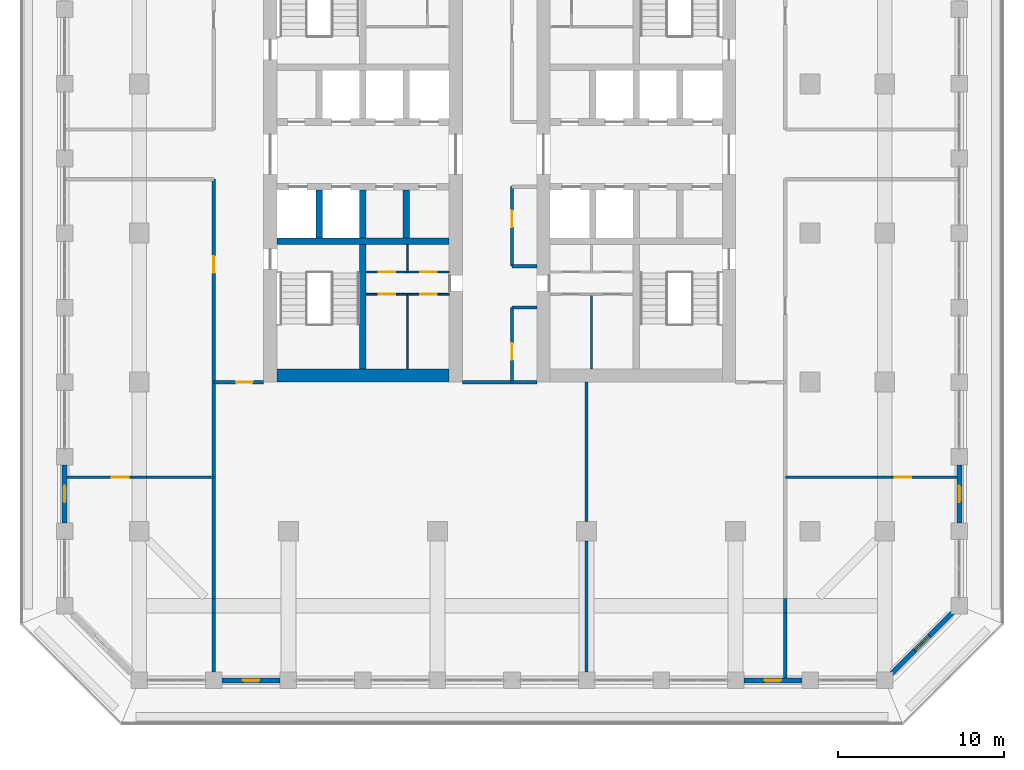
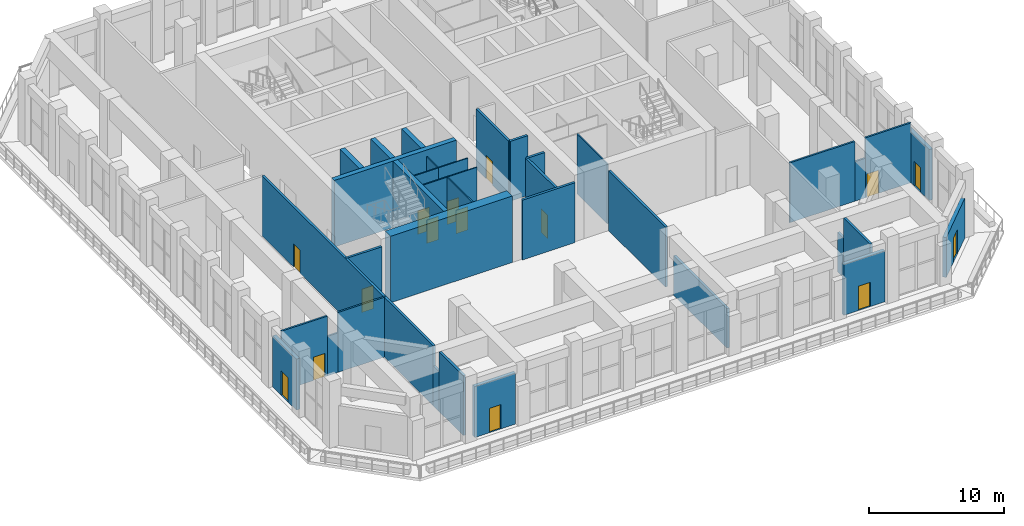
# One storey, part 13 of 25: 37 walls, 15 doors, 15 openings.
"""IFC4 building model written with IfcOpenShell, lengths in metres."""

from ifc_helpers import new_model, si_unit, direction, frame, frame_2d, origin, place, context, subcontext, project, spatial, rectangle, extrude, material, layer, layer_set, type_object, element, fill, save


model = new_model("IFC4")

# Units and contexts
model_context = context("Model", 3, precision=1e-05, world=origin(), true_north=direction((0.0, 1.0)))
body_context = subcontext(model_context, "Body", "Model", "MODEL_VIEW")
ifc_project = project(units=[si_unit("LENGTHUNIT", "METRE"), si_unit("AREAUNIT", "SQUARE_METRE"), si_unit("VOLUMEUNIT", "CUBIC_METRE"), si_unit("PLANEANGLEUNIT", "RADIAN"), si_unit("MASSUNIT", "GRAM", prefix="KILO")], contexts=[model_context])

# Site, building, storey
site_placement = place(None, origin())
site = spatial("IfcSite", under=ifc_project, at=site_placement, CompositionType="ELEMENT")
building_placement = place(site_placement, origin())
building = spatial("IfcBuilding", under=site, at=building_placement, Name="Corbel Stack Research Tower", CompositionType="ELEMENT")
storey_placement = place(building_placement, frame((0.0, 0.0, 220.199951171875)))
storey = spatial("IfcBuildingStorey", under=building, at=storey_placement, Name="L50", CompositionType="ELEMENT", Elevation=220.199951171875)

# Walls
ifc_material_1 = material(Name="Concrete C60/75", Category="concrete")
ifc_layer_1 = layer(ifc_material_1, 0.39990234375)
ifc_layer_set_1 = layer_set([ifc_layer_1], Name="Concrete C60/75")
wall_type_1 = type_object("IfcWallType", Name="CW-400-60", PredefinedType="SHEAR", material=ifc_layer_set_1)
wall_1_placement = place(storey_placement, frame((-9.699951171875, -0.5, 0.0), z_axis=(0.0, 0.0, 1.0), x_axis=(1.0, 0.0, 0.0)))
element("IfcWall", 1, at=wall_1_placement, inside=storey, type_object=wall_type_1, Name="West core wall, south row back L50", PredefinedType="SHEAR", context=body_context, shape_type="SweptSolid", body=[
    extrude(rectangle(XDim=10.39990234375, YDim=0.39990234375, at=frame_2d((5.199951171875, 0.0))), origin(), (0.0, 0.0, 1.0), 6.0),
])
for number, where, z_axis, x_axis, name in (
    (2, (-7.125, -0.300048828125, 0.0), (0.0, 0.0, 1.0), (0.0, 1.0, 0.0), "West core wall, south shaft 1 L50"),
    (3, (-4.5, -0.300048828125, 0.0), (0.0, 0.0, 1.0), (0.0, 1.0, 0.0), "West core wall, south shaft 2 L50"),
    (4, (-1.875, -0.300048828125, 0.0), (0.0, 0.0, 1.0), (0.0, 1.0, 0.0), "West core wall, south shaft 3 L50"),
):
    element("IfcWall", number, at=place(storey_placement, frame(where, z_axis=z_axis, x_axis=x_axis)), inside=storey, type_object=wall_type_1, Name=name, PredefinedType="SHEAR", context=body_context, shape_type="SweptSolid", body=[
        extrude(rectangle(XDim=2.900146484375, YDim=0.39990234375, at=frame_2d((1.4501953125, 0.0))), origin(), (0.0, 0.0, 1.0), 6.0),
    ])
wall_2_placement = place(storey_placement, frame((-4.5, -8.199951171875, 0.0), z_axis=(0.0, 0.0, 1.0), x_axis=(0.0, 1.0, 0.0)))
element("IfcWall", 5, at=wall_2_placement, inside=storey, type_object=wall_type_1, Name="West core wall, south stair and WC L50", PredefinedType="SHEAR", context=body_context, shape_type="SweptSolid", body=[
    extrude(rectangle(XDim=7.5, YDim=0.39990234375, at=frame_2d((3.75, 0.0))), origin(), (0.0, 0.0, 1.0), 6.0),
])
ifc_material_2 = material(Name="Concrete C60/75", Category="concrete")
ifc_layer_2 = layer(ifc_material_2, 0.800048828125)
ifc_layer_set_2 = layer_set([ifc_layer_2], Name="Concrete C60/75")
wall_type_2 = type_object("IfcWallType", Name="CW-800-60", PredefinedType="SHEAR", material=ifc_layer_set_2)
wall_3_placement = place(storey_placement, frame((-9.699951171875, -8.60009765625, 0.0), z_axis=(0.0, 0.0, 1.0), x_axis=(1.0, 0.0, 0.0)))
element("IfcWall", 6, at=wall_3_placement, inside=storey, type_object=wall_type_2, Name="West core wall, south end L50", PredefinedType="SHEAR", context=body_context, shape_type="SweptSolid", body=[
    extrude(rectangle(XDim=10.39990234375, YDim=0.800048828125, at=frame_2d((5.199951171875, 0.0))), origin(), (0.0, 0.0, 1.0), 6.0),
])

# Wall, opening, door
ifc_material_3 = material(Name="Gypsum board")
ifc_layer_3 = layer(ifc_material_3, 0.10009765625)
ifc_layer_set_3 = layer_set([ifc_layer_3], Name="Gypsum board")
wall_type_3 = type_object("IfcWallType", Name="Core partition 100", PredefinedType="PARTITIONING", material=ifc_layer_set_3)
wall_4_placement = place(storey_placement, frame((-1.800048828125, -3.699951171875, 0.0), z_axis=(0.0, 0.0, 1.0), x_axis=(1.0, 0.0, 0.0)))
wall_4 = element("IfcWall", 7, at=wall_4_placement, inside=storey, type_object=wall_type_3, Name="Core partition W", PredefinedType="PARTITIONING", context=body_context, shape_type="SweptSolid", body=[
    extrude(rectangle(XDim=2.5, YDim=0.10009765625, at=frame_2d((1.25, 0.0))), origin(), (0.0, 0.0, 1.0), 5.400146484375),
])
opening_1_placement = place(wall_4_placement, frame((0.75, 0.0, 0.0)))
opening_1 = element("IfcOpeningElement", 8, at=opening_1_placement, cuts=wall_4, Name="Opening CR-W54-W2-1000", PredefinedType="OPENING", context=body_context, shape_type="SweptSolid", body=[
    extrude(rectangle(XDim=1.0, YDim=2.10009765625, at=frame_2d((0.5, 1.050048828125))), frame((0.0, 0.06005859375, 0.0), z_axis=(0.0, -1.0, 0.0), x_axis=(1.0, 0.0, 0.0)), (0.0, 0.0, 1.0), 0.1201171875),
])
ifc_material_4 = material(Name="Painted timber door", Category="wood")
door_type_1 = type_object("IfcDoorType", Name="WC door 1000 x 2100 right hand", OperationType="SINGLE_SWING_RIGHT", PredefinedType="DOOR", material=ifc_material_4)
door_1_placement = place(opening_1_placement, origin())
door_1 = element("IfcDoor", 9, at=door_1_placement, inside=storey, type_object=door_type_1, Name="Women's WC door W core", OperationType="SINGLE_SWING_RIGHT", OverallHeight=2.10009765625, OverallWidth=1.0, PredefinedType="DOOR", context=body_context, shape_type="SweptSolid", body=[
    extrude(rectangle(XDim=1.0, YDim=2.10009765625, at=frame_2d((0.5, 1.050048828125))), frame((0.0, 0.02490234375, 0.0), z_axis=(0.0, -1.0, 0.0), x_axis=(1.0, 0.0, 0.0)), (0.0, 0.0, 1.0), 0.050048828125),
])
fill(opening_1, door_1)

wall_5_placement = place(storey_placement, frame((-4.300048828125, -3.699951171875, 0.0), z_axis=(0.0, 0.0, 1.0), x_axis=(1.0, 0.0, 0.0)))
wall_5 = element("IfcWall", 10, at=wall_5_placement, inside=storey, type_object=wall_type_3, Name="Core partition W", PredefinedType="PARTITIONING", context=body_context, shape_type="SweptSolid", body=[
    extrude(rectangle(XDim=2.5, YDim=0.10009765625, at=frame_2d((1.25, 0.0))), origin(), (0.0, 0.0, 1.0), 5.400146484375),
])
opening_2_placement = place(wall_5_placement, frame((0.75, 0.0, 0.0)))
opening_2 = element("IfcOpeningElement", 11, at=opening_2_placement, cuts=wall_5, Name="Opening CR-W54-W3-1000", PredefinedType="OPENING", context=body_context, shape_type="SweptSolid", body=[
    extrude(rectangle(XDim=1.0, YDim=2.10009765625, at=frame_2d((0.5, 1.050048828125))), frame((0.0, 0.06005859375, 0.0), z_axis=(0.0, -1.0, 0.0), x_axis=(1.0, 0.0, 0.0)), (0.0, 0.0, 1.0), 0.1201171875),
])
ifc_material_5 = material(Name="Painted timber door", Category="wood")
door_type_2 = type_object("IfcDoorType", Name="WC door 1000 x 2100 left hand", OperationType="SINGLE_SWING_LEFT", PredefinedType="DOOR", material=ifc_material_5)
door_2_placement = place(opening_2_placement, origin())
door_2 = element("IfcDoor", 12, at=door_2_placement, inside=storey, type_object=door_type_2, Name="Men's WC door W core", OperationType="SINGLE_SWING_LEFT", OverallHeight=2.10009765625, OverallWidth=1.0, PredefinedType="DOOR", context=body_context, shape_type="SweptSolid", body=[
    extrude(rectangle(XDim=1.0, YDim=2.10009765625, at=frame_2d((0.5, 1.050048828125))), frame((0.0, 0.02490234375, 0.0), z_axis=(0.0, -1.0, 0.0), x_axis=(1.0, 0.0, 0.0)), (0.0, 0.0, 1.0), 0.050048828125),
])
fill(opening_2, door_2)

wall_6_placement = place(storey_placement, frame((-1.800048828125, -2.35009765625, 0.0), z_axis=(0.0, 0.0, 1.0), x_axis=(1.0, 0.0, 0.0)))
wall_6 = element("IfcWall", 13, at=wall_6_placement, inside=storey, type_object=wall_type_3, Name="Core partition W", PredefinedType="PARTITIONING", context=body_context, shape_type="SweptSolid", body=[
    extrude(rectangle(XDim=2.5, YDim=0.10009765625, at=frame_2d((1.25, 0.0))), origin(), (0.0, 0.0, 1.0), 5.400146484375),
])
opening_3_placement = place(wall_6_placement, frame((0.75, 0.0, 0.0)))
opening_3 = element("IfcOpeningElement", 14, at=opening_3_placement, cuts=wall_6, Name="Opening CR-W54-W4-1000", PredefinedType="OPENING", context=body_context, shape_type="SweptSolid", body=[
    extrude(rectangle(XDim=1.0, YDim=2.10009765625, at=frame_2d((0.5, 1.050048828125))), frame((0.0, 0.06005859375, 0.0), z_axis=(0.0, -1.0, 0.0), x_axis=(1.0, 0.0, 0.0)), (0.0, 0.0, 1.0), 0.1201171875),
])
door_3_placement = place(opening_3_placement, origin())
door_3 = element("IfcDoor", 15, at=door_3_placement, inside=storey, type_object=door_type_1, Name="Accessible WC door W core", OperationType="SINGLE_SWING_RIGHT", OverallHeight=2.10009765625, OverallWidth=1.0, PredefinedType="DOOR", context=body_context, shape_type="SweptSolid", body=[
    extrude(rectangle(XDim=1.0, YDim=2.10009765625, at=frame_2d((0.5, 1.050048828125))), frame((0.0, 0.02490234375, 0.0), z_axis=(0.0, -1.0, 0.0), x_axis=(1.0, 0.0, 0.0)), (0.0, 0.0, 1.0), 0.050048828125),
])
fill(opening_3, door_3)

wall_7_placement = place(storey_placement, frame((-4.300048828125, -2.35009765625, 0.0), z_axis=(0.0, 0.0, 1.0), x_axis=(1.0, 0.0, 0.0)))
wall_7 = element("IfcWall", 16, at=wall_7_placement, inside=storey, type_object=wall_type_3, Name="Core partition W", PredefinedType="PARTITIONING", context=body_context, shape_type="SweptSolid", body=[
    extrude(rectangle(XDim=2.5, YDim=0.10009765625, at=frame_2d((1.25, 0.0))), origin(), (0.0, 0.0, 1.0), 5.400146484375),
])
opening_4_placement = place(wall_7_placement, frame((0.75, 0.0, 0.0)))
opening_4 = element("IfcOpeningElement", 17, at=opening_4_placement, cuts=wall_7, Name="Opening CR-W54-W5-1000", PredefinedType="OPENING", context=body_context, shape_type="SweptSolid", body=[
    extrude(rectangle(XDim=1.0, YDim=2.10009765625, at=frame_2d((0.5, 1.050048828125))), frame((0.0, 0.06005859375, 0.0), z_axis=(0.0, -1.0, 0.0), x_axis=(1.0, 0.0, 0.0)), (0.0, 0.0, 1.0), 0.1201171875),
])
door_4_placement = place(opening_4_placement, origin())
door_4 = element("IfcDoor", 18, at=door_4_placement, inside=storey, type_object=door_type_2, Name="Shower and changing room door W core", OperationType="SINGLE_SWING_LEFT", OverallHeight=2.10009765625, OverallWidth=1.0, PredefinedType="DOOR", context=body_context, shape_type="SweptSolid", body=[
    extrude(rectangle(XDim=1.0, YDim=2.10009765625, at=frame_2d((0.5, 1.050048828125))), frame((0.0, 0.02490234375, 0.0), z_axis=(0.0, -1.0, 0.0), x_axis=(1.0, 0.0, 0.0)), (0.0, 0.0, 1.0), 0.050048828125),
])
fill(opening_4, door_4)

# Walls
wall_8_placement = place(storey_placement, frame((-1.800048828125, -8.199951171875, 0.0), z_axis=(0.0, 0.0, 1.0), x_axis=(0.0, 1.0, 0.0)))
element("IfcWall", 19, at=wall_8_placement, inside=storey, type_object=wall_type_3, Name="Core partition W", PredefinedType="PARTITIONING", context=body_context, shape_type="SweptSolid", body=[
    extrude(rectangle(XDim=4.5, YDim=0.10009765625, at=frame_2d((2.25, 0.0))), origin(), (0.0, 0.0, 1.0), 5.400146484375),
])
wall_9_placement = place(storey_placement, frame((-1.800048828125, -2.35009765625, 0.0), z_axis=(0.0, 0.0, 1.0), x_axis=(0.0, 1.0, 0.0)))
element("IfcWall", 20, at=wall_9_placement, inside=storey, type_object=wall_type_3, Name="Core partition W", PredefinedType="PARTITIONING", context=body_context, shape_type="SweptSolid", body=[
    extrude(rectangle(XDim=1.650146484375, YDim=0.10009765625, at=frame_2d((0.8251953125, 0.0))), origin(), (0.0, 0.0, 1.0), 5.400146484375),
])
wall_10_placement = place(storey_placement, frame((9.300048828125, -8.199951171875, 0.0), z_axis=(0.0, 0.0, 1.0), x_axis=(0.0, 1.0, 0.0)))
element("IfcWall", 21, at=wall_10_placement, inside=storey, type_object=wall_type_3, Name="Core partition E", PredefinedType="PARTITIONING", context=body_context, shape_type="SweptSolid", body=[
    extrude(rectangle(XDim=4.5, YDim=0.10009765625, at=frame_2d((2.25, 0.0))), origin(), (0.0, 0.0, 1.0), 5.400146484375),
])
ifc_material_6 = material(Name="Fire-rated gypsum board partition on steel studs", Category="steel")
ifc_layer_4 = layer(ifc_material_6, 0.199951171875)
ifc_layer_set_4 = layer_set([ifc_layer_4], Name="Fire-rated gypsum board partition on steel studs")
wall_type_4 = type_object("IfcWallType", Name="Fire-rated partition 200 EI 60", PredefinedType="PARTITIONING", material=ifc_layer_set_4)
wall_11_placement = place(storey_placement, frame((-13.5, -26.5, 0.0), z_axis=(0.0, 0.0, 1.0), x_axis=(0.0, 1.0, 0.0)))
element("IfcWall", 22, at=wall_11_placement, inside=storey, type_object=wall_type_4, Name="Partition L50-001", PredefinedType="PARTITIONING", context=body_context, shape_type="SweptSolid", body=[
    extrude(rectangle(XDim=3.550048828125, YDim=0.199951171875, at=frame_2d((1.77490234375, 0.0))), origin(), (0.0, 0.0, 1.0), 5.400146484375),
])
wall_12_placement = place(storey_placement, frame((-13.5, -22.949951171875, 0.0), z_axis=(0.0, 0.0, 1.0), x_axis=(0.0, 1.0, 0.0)))
element("IfcWall", 23, at=wall_12_placement, inside=storey, type_object=wall_type_4, Name="Partition L50-002", PredefinedType="PARTITIONING", context=body_context, shape_type="SweptSolid", body=[
    extrude(rectangle(XDim=0.89990234375, YDim=0.199951171875, at=frame_2d((0.449951171875, 0.0))), origin(), (0.0, 0.0, 1.0), 3.570068359375),
])

# Wall, opening, door
wall_13_placement = place(storey_placement, frame((-13.5, -22.050048828125, 0.0), z_axis=(0.0, 0.0, 1.0), x_axis=(0.0, 1.0, 0.0)))
wall_13 = element("IfcWall", 24, at=wall_13_placement, inside=storey, type_object=wall_type_4, Name="Partition L50-003", PredefinedType="PARTITIONING", context=body_context, shape_type="SweptSolid", body=[
    extrude(rectangle(XDim=25.300048828125, YDim=0.199951171875, at=frame_2d((12.64990234375, 0.0))), origin(), (0.0, 0.0, 1.0), 5.400146484375),
])
opening_5_placement = place(wall_13_placement, frame((19.64990234375, 0.0, 0.0)))
opening_5 = element("IfcOpeningElement", 25, at=opening_5_placement, cuts=wall_13, Name="Opening B6AM-003", PredefinedType="OPENING", context=body_context, shape_type="SweptSolid", body=[
    extrude(rectangle(XDim=1.0, YDim=2.10009765625, at=frame_2d((0.5, 1.050048828125))), frame((0.0, 0.10986328125, 0.0), z_axis=(0.0, -1.0, 0.0), x_axis=(1.0, 0.0, 0.0)), (0.0, 0.0, 1.0), 0.219970703125),
])
ifc_material_7 = material(Name="Painted steel fire door", Category="steel")
door_type_3 = type_object("IfcDoorType", Name="Fire door FD30S 1000 x 2100", OperationType="NOTDEFINED", PredefinedType="DOOR", material=ifc_material_7)
door_5_placement = place(opening_5_placement, origin())
door_5 = element("IfcDoor", 26, at=door_5_placement, inside=storey, type_object=door_type_3, Name="Door B6AM-003", OperationType="SINGLE_SWING_RIGHT", OverallHeight=2.10009765625, OverallWidth=1.0, PredefinedType="DOOR", context=body_context, shape_type="SweptSolid", body=[
    extrude(rectangle(XDim=1.0, YDim=2.10009765625, at=frame_2d((0.5, 1.050048828125))), frame((0.0, 0.02490234375, 0.0), z_axis=(0.0, -1.0, 0.0), x_axis=(1.0, 0.0, 0.0)), (0.0, 0.0, 1.0), 0.050048828125),
])
fill(opening_5, door_5)

wall_14_placement = place(storey_placement, frame((4.5, -4.5, 0.0), z_axis=(0.0, 0.0, 1.0), x_axis=(0.0, -1.0, 0.0)))
wall_14 = element("IfcWall", 27, at=wall_14_placement, inside=storey, type_object=wall_type_4, Name="Partition L50-005", PredefinedType="PARTITIONING", context=body_context, shape_type="SweptSolid", body=[
    extrude(rectangle(XDim=4.5, YDim=0.199951171875, at=frame_2d((2.25, 0.0))), origin(), (0.0, 0.0, 1.0), 5.400146484375),
])
opening_6_placement = place(wall_14_placement, frame((2.14990234375, 0.0, 0.0)))
opening_6 = element("IfcOpeningElement", 28, at=opening_6_placement, cuts=wall_14, Name="Opening B6AM-007", PredefinedType="OPENING", context=body_context, shape_type="SweptSolid", body=[
    extrude(rectangle(XDim=1.0, YDim=2.10009765625, at=frame_2d((0.5, 1.050048828125))), frame((0.0, 0.10986328125, 0.0), z_axis=(0.0, -1.0, 0.0), x_axis=(1.0, 0.0, 0.0)), (0.0, 0.0, 1.0), 0.219970703125),
])
door_6_placement = place(opening_6_placement, origin())
door_6 = element("IfcDoor", 29, at=door_6_placement, inside=storey, type_object=door_type_3, Name="Door B6AM-007", OperationType="SINGLE_SWING_RIGHT", OverallHeight=2.10009765625, OverallWidth=1.0, PredefinedType="DOOR", context=body_context, shape_type="SweptSolid", body=[
    extrude(rectangle(XDim=1.0, YDim=2.10009765625, at=frame_2d((0.5, 1.050048828125))), frame((0.0, 0.02490234375, 0.0), z_axis=(0.0, -1.0, 0.0), x_axis=(1.0, 0.0, 0.0)), (0.0, 0.0, 1.0), 0.050048828125),
])
fill(opening_6, door_6)

wall_15_placement = place(storey_placement, frame((4.5, 2.800048828125, 0.0), z_axis=(0.0, 0.0, 1.0), x_axis=(0.0, -1.0, 0.0)))
wall_15 = element("IfcWall", 30, at=wall_15_placement, inside=storey, type_object=wall_type_4, Name="Partition L50-006", PredefinedType="PARTITIONING", context=body_context, shape_type="SweptSolid", body=[
    extrude(rectangle(XDim=4.800048828125, YDim=0.199951171875, at=frame_2d((2.39990234375, 0.0))), origin(), (0.0, 0.0, 1.0), 5.400146484375),
])
opening_7_placement = place(wall_15_placement, frame((1.449951171875, 0.0, 0.0)))
opening_7 = element("IfcOpeningElement", 31, at=opening_7_placement, cuts=wall_15, Name="Opening B6AM-008", PredefinedType="OPENING", context=body_context, shape_type="SweptSolid", body=[
    extrude(rectangle(XDim=1.0, YDim=2.10009765625, at=frame_2d((0.5, 1.050048828125))), frame((0.0, 0.10986328125, 0.0), z_axis=(0.0, -1.0, 0.0), x_axis=(1.0, 0.0, 0.0)), (0.0, 0.0, 1.0), 0.219970703125),
])
door_7_placement = place(opening_7_placement, origin())
door_7 = element("IfcDoor", 32, at=door_7_placement, inside=storey, type_object=door_type_3, Name="Door B6AM-008", OperationType="SINGLE_SWING_LEFT", OverallHeight=2.10009765625, OverallWidth=1.0, PredefinedType="DOOR", context=body_context, shape_type="SweptSolid", body=[
    extrude(rectangle(XDim=1.0, YDim=2.10009765625, at=frame_2d((0.5, 1.050048828125))), frame((0.0, 0.02490234375, 0.0), z_axis=(0.0, -1.0, 0.0), x_axis=(1.0, 0.0, 0.0)), (0.0, 0.0, 1.0), 0.050048828125),
])
fill(opening_7, door_7)

# Walls
wall_16_placement = place(storey_placement, frame((9.0, -26.5, 0.0), z_axis=(0.0, 0.0, 1.0), x_axis=(0.0, 1.0, 0.0)))
element("IfcWall", 33, at=wall_16_placement, inside=storey, type_object=wall_type_4, Name="Partition L50-008", PredefinedType="PARTITIONING", context=body_context, shape_type="SweptSolid", body=[
    extrude(rectangle(XDim=7.89990234375, YDim=0.199951171875, at=frame_2d((3.949951171875, 0.0))), origin(), (0.0, 0.0, 1.0), 3.570068359375),
])
wall_17_placement = place(storey_placement, frame((9.0, -17.39990234375, 0.0), z_axis=(0.0, 0.0, 1.0), x_axis=(0.0, 1.0, 0.0)))
element("IfcWall", 34, at=wall_17_placement, inside=storey, type_object=wall_type_4, Name="Partition L50-009", PredefinedType="PARTITIONING", context=body_context, shape_type="SweptSolid", body=[
    extrude(rectangle(XDim=8.39990234375, YDim=0.199951171875, at=frame_2d((4.199951171875, 0.0))), origin(), (0.0, 0.0, 1.0), 5.400146484375),
])
wall_18_placement = place(storey_placement, frame((21.0, -26.85009765625, 0.0), z_axis=(0.0, 0.0, 1.0), x_axis=(0.0, 1.0, 0.0)))
element("IfcWall", 35, at=wall_18_placement, inside=storey, type_object=wall_type_4, Name="Partition L50-012", PredefinedType="PARTITIONING", context=body_context, shape_type="SweptSolid", body=[
    extrude(rectangle(XDim=3.900146484375, YDim=0.199951171875, at=frame_2d((1.9501953125, 0.0))), origin(), (0.0, 0.0, 1.0), 5.400146484375),
])
wall_19_placement = place(storey_placement, frame((21.0, -22.949951171875, 0.0), z_axis=(0.0, 0.0, 1.0), x_axis=(0.0, 1.0, 0.0)))
element("IfcWall", 36, at=wall_19_placement, inside=storey, type_object=wall_type_4, Name="Partition L50-013", PredefinedType="PARTITIONING", context=body_context, shape_type="SweptSolid", body=[
    extrude(rectangle(XDim=0.89990234375, YDim=0.199951171875, at=frame_2d((0.449951171875, 0.0))), origin(), (0.0, 0.0, 1.0), 3.570068359375),
])

# Wall, opening, door
wall_20_placement = place(storey_placement, frame((-10.5, -9.0, 0.0), z_axis=(0.0, 0.0, 1.0), x_axis=(-1.0, 0.0, 0.0)))
wall_20 = element("IfcWall", 37, at=wall_20_placement, inside=storey, type_object=wall_type_4, Name="Partition L50-022", PredefinedType="PARTITIONING", context=body_context, shape_type="SweptSolid", body=[
    extrude(rectangle(XDim=3.0, YDim=0.199951171875, at=frame_2d((1.5, 0.0))), origin(), (0.0, 0.0, 1.0), 5.400146484375),
])
opening_8_placement = place(wall_20_placement, frame((0.64990234375, 0.0, 0.0)))
opening_8 = element("IfcOpeningElement", 38, at=opening_8_placement, cuts=wall_20, Name="Opening B6AM-005", PredefinedType="OPENING", context=body_context, shape_type="SweptSolid", body=[
    extrude(rectangle(XDim=1.0, YDim=2.10009765625, at=frame_2d((0.5, 1.050048828125))), frame((0.0, 0.10986328125, 0.0), z_axis=(0.0, -1.0, 0.0), x_axis=(1.0, 0.0, 0.0)), (0.0, 0.0, 1.0), 0.219970703125),
])
door_8_placement = place(opening_8_placement, origin())
door_8 = element("IfcDoor", 39, at=door_8_placement, inside=storey, type_object=door_type_3, Name="Door B6AM-005", OperationType="SINGLE_SWING_LEFT", OverallHeight=2.10009765625, OverallWidth=1.0, PredefinedType="DOOR", context=body_context, shape_type="SweptSolid", body=[
    extrude(rectangle(XDim=1.0, YDim=2.10009765625, at=frame_2d((0.5, 1.050048828125))), frame((0.0, 0.02490234375, 0.0), z_axis=(0.0, -1.0, 0.0), x_axis=(1.0, 0.0, 0.0)), (0.0, 0.0, 1.0), 0.050048828125),
])
fill(opening_8, door_8)

# Walls
wall_21_placement = place(storey_placement, frame((1.5, -9.0, 0.0), z_axis=(0.0, 0.0, 1.0), x_axis=(1.0, 0.0, 0.0)))
element("IfcWall", 40, at=wall_21_placement, inside=storey, type_object=wall_type_4, Name="Partition L50-023", PredefinedType="PARTITIONING", context=body_context, shape_type="SweptSolid", body=[
    extrude(rectangle(XDim=4.5, YDim=0.199951171875, at=frame_2d((2.25, 0.0))), origin(), (0.0, 0.0, 1.0), 5.400146484375),
])
for number, where, z_axis, x_axis, name in (
    (41, (4.5, -4.5, 0.0), (0.0, 0.0, 1.0), (1.0, 0.0, 0.0), "Partition L50-025"),
    (42, (4.5, -2.0, 0.0), (0.0, 0.0, 1.0), (1.0, 0.0, 0.0), "Partition L50-026"),
):
    element("IfcWall", number, at=place(storey_placement, frame(where, z_axis=z_axis, x_axis=x_axis)), inside=storey, type_object=wall_type_4, Name=name, PredefinedType="PARTITIONING", context=body_context, shape_type="SweptSolid", body=[
        extrude(rectangle(XDim=1.5, YDim=0.199951171875, at=frame_2d((0.75, 0.0))), origin(), (0.0, 0.0, 1.0), 5.400146484375),
    ])

# Wall, opening, door
ifc_material_8 = material(Name="Gypsum board partition on steel studs", Category="steel")
ifc_layer_5 = layer(ifc_material_8, 0.14990234375)
ifc_layer_set_5 = layer_set([ifc_layer_5], Name="Gypsum board partition on steel studs")
wall_type_5 = type_object("IfcWallType", Name="Partition 150", PredefinedType="PARTITIONING", material=ifc_layer_set_5)
wall_22_placement = place(storey_placement, frame((-18.449951171875, -14.75, 0.0), z_axis=(0.0, 0.0, 1.0), x_axis=(-1.0, 0.0, 0.0)))
wall_22 = element("IfcWall", 43, at=wall_22_placement, inside=storey, type_object=wall_type_5, Name="Partition L50-016", PredefinedType="PARTITIONING", context=body_context, shape_type="SweptSolid", body=[
    extrude(rectangle(XDim=3.900146484375, YDim=0.14990234375, at=frame_2d((1.9501953125, 0.0))), origin(), (0.0, 0.0, 1.0), 5.400146484375),
])
opening_9_placement = place(wall_22_placement, frame((0.199951171875, 0.0, 0.0)))
opening_9 = element("IfcOpeningElement", 44, at=opening_9_placement, cuts=wall_22, Name="Opening B6AM-001", PredefinedType="OPENING", context=body_context, shape_type="SweptSolid", body=[
    extrude(rectangle(XDim=1.0, YDim=2.10009765625, at=frame_2d((0.5, 1.050048828125))), frame((0.0, 0.0849609375, 0.0), z_axis=(0.0, -1.0, 0.0), x_axis=(1.0, 0.0, 0.0)), (0.0, 0.0, 1.0), 0.169921875),
])
ifc_material_9 = material(Name="Painted timber door", Category="wood")
door_type_4 = type_object("IfcDoorType", Name="Single door 1000 x 2100", OperationType="NOTDEFINED", PredefinedType="DOOR", material=ifc_material_9)
door_9_placement = place(opening_9_placement, origin())
door_9 = element("IfcDoor", 45, at=door_9_placement, inside=storey, type_object=door_type_4, Name="Door B6AM-001", OperationType="SINGLE_SWING_LEFT", OverallHeight=2.10009765625, OverallWidth=1.0, PredefinedType="DOOR", context=body_context, shape_type="SweptSolid", body=[
    extrude(rectangle(XDim=1.0, YDim=2.10009765625, at=frame_2d((0.5, 1.050048828125))), frame((0.0, 0.02490234375, 0.0), z_axis=(0.0, -1.0, 0.0), x_axis=(1.0, 0.0, 0.0)), (0.0, 0.0, 1.0), 0.050048828125),
])
fill(opening_9, door_9)

# Walls
wall_23_placement = place(storey_placement, frame((-18.449951171875, -14.75, 0.0), z_axis=(0.0, 0.0, 1.0), x_axis=(1.0, 0.0, 0.0)))
element("IfcWall", 46, at=wall_23_placement, inside=storey, type_object=wall_type_5, Name="Partition L50-017", PredefinedType="PARTITIONING", context=body_context, shape_type="SweptSolid", body=[
    extrude(rectangle(XDim=0.89990234375, YDim=0.14990234375, at=frame_2d((0.449951171875, 0.0))), origin(), (0.0, 0.0, 1.0), 3.570068359375),
])
wall_24_placement = place(storey_placement, frame((-17.550048828125, -14.75, 0.0), z_axis=(0.0, 0.0, 1.0), x_axis=(1.0, 0.0, 0.0)))
element("IfcWall", 47, at=wall_24_placement, inside=storey, type_object=wall_type_5, Name="Partition L50-018", PredefinedType="PARTITIONING", context=body_context, shape_type="SweptSolid", body=[
    extrude(rectangle(XDim=4.050048828125, YDim=0.14990234375, at=frame_2d((2.02490234375, 0.0))), origin(), (0.0, 0.0, 1.0), 5.400146484375),
])
wall_25_placement = place(storey_placement, frame((21.0, -14.75, 0.0), z_axis=(0.0, 0.0, 1.0), x_axis=(1.0, 0.0, 0.0)))
element("IfcWall", 48, at=wall_25_placement, inside=storey, type_object=wall_type_5, Name="Partition L50-019", PredefinedType="PARTITIONING", context=body_context, shape_type="SweptSolid", body=[
    extrude(rectangle(XDim=5.550048828125, YDim=0.14990234375, at=frame_2d((2.77490234375, 0.0))), origin(), (0.0, 0.0, 1.0), 5.400146484375),
])
wall_26_placement = place(storey_placement, frame((26.550048828125, -14.75, 0.0), z_axis=(0.0, 0.0, 1.0), x_axis=(1.0, 0.0, 0.0)))
element("IfcWall", 49, at=wall_26_placement, inside=storey, type_object=wall_type_5, Name="Partition L50-020", PredefinedType="PARTITIONING", context=body_context, shape_type="SweptSolid", body=[
    extrude(rectangle(XDim=0.89990234375, YDim=0.14990234375, at=frame_2d((0.449951171875, 0.0))), origin(), (0.0, 0.0, 1.0), 3.570068359375),
])

# Wall, opening, door
wall_27_placement = place(storey_placement, frame((31.35009765625, -14.75, 0.0), z_axis=(0.0, 0.0, 1.0), x_axis=(-1.0, 0.0, 0.0)))
wall_27 = element("IfcWall", 50, at=wall_27_placement, inside=storey, type_object=wall_type_5, Name="Partition L50-021", PredefinedType="PARTITIONING", context=body_context, shape_type="SweptSolid", body=[
    extrude(rectangle(XDim=3.900146484375, YDim=0.14990234375, at=frame_2d((1.9501953125, 0.0))), origin(), (0.0, 0.0, 1.0), 5.400146484375),
])
opening_10_placement = place(wall_27_placement, frame((2.75, 0.0, 0.0)))
opening_10 = element("IfcOpeningElement", 51, at=opening_10_placement, cuts=wall_27, Name="Opening B6AM-002", PredefinedType="OPENING", context=body_context, shape_type="SweptSolid", body=[
    extrude(rectangle(XDim=1.0, YDim=2.10009765625, at=frame_2d((0.5, 1.050048828125))), frame((0.0, 0.0849609375, 0.0), z_axis=(0.0, -1.0, 0.0), x_axis=(1.0, 0.0, 0.0)), (0.0, 0.0, 1.0), 0.169921875),
])
door_10_placement = place(opening_10_placement, origin())
door_10 = element("IfcDoor", 52, at=door_10_placement, inside=storey, type_object=door_type_4, Name="Door B6AM-002", OperationType="SINGLE_SWING_RIGHT", OverallHeight=2.10009765625, OverallWidth=1.0, PredefinedType="DOOR", context=body_context, shape_type="SweptSolid", body=[
    extrude(rectangle(XDim=1.0, YDim=2.10009765625, at=frame_2d((0.5, 1.050048828125))), frame((0.0, 0.02490234375, 0.0), z_axis=(0.0, -1.0, 0.0), x_axis=(1.0, 0.0, 0.0)), (0.0, 0.0, 1.0), 0.050048828125),
])
fill(opening_10, door_10)

ifc_material_10 = material(Name="Concrete C45/55", Category="concrete")
ifc_layer_6 = layer(ifc_material_10, 0.300048828125)
ifc_layer_set_6 = layer_set([ifc_layer_6], Name="Concrete C45/55")
wall_type_6 = type_object("IfcWallType", Name="Terracotta-faced concrete wall 300", PredefinedType="SOLIDWALL", material=ifc_layer_set_6)
wall_28_placement = place(storey_placement, frame((-9.5, -27.0, 0.0), z_axis=(0.0, 0.0, 1.0), x_axis=(-1.0, 0.0, 0.0)))
wall_28 = element("IfcWall", 53, at=wall_28_placement, inside=storey, type_object=wall_type_6, Name="Facade wall L50 S02", PredefinedType="SOLIDWALL", context=body_context, shape_type="SweptSolid", body=[
    extrude(rectangle(XDim=3.5, YDim=0.300048828125, at=frame_2d((1.75, 0.0))), origin(), (0.0, 0.0, 1.0), 4.60009765625),
])
opening_11_placement = place(wall_28_placement, frame((1.25, 0.0, 0.0)))
opening_11 = element("IfcOpeningElement", 54, at=opening_11_placement, cuts=wall_28, Name="Opening L50-B01", PredefinedType="OPENING", context=body_context, shape_type="SweptSolid", body=[
    extrude(rectangle(XDim=1.0, YDim=2.199951171875, at=frame_2d((0.5, 1.10009765625))), frame((0.0, 0.159912109375, 0.0), z_axis=(0.0, -1.0, 0.0), x_axis=(1.0, 0.0, 0.0)), (0.0, 0.0, 1.0), 0.320068359375),
])
ifc_material_11 = material(Name="Aluminium frame, clear double glazing", Category="aluminium")
door_type_5 = type_object("IfcDoorType", Name="Balcony door BD1 1000 x 2200", OperationType="NOTDEFINED", PredefinedType="DOOR", material=ifc_material_11)
door_11_placement = place(opening_11_placement, origin())
door_11 = element("IfcDoor", 55, at=door_11_placement, inside=storey, type_object=door_type_5, Name="Balcony door L50-B01", OperationType="SINGLE_SWING_RIGHT", OverallHeight=2.199951171875, OverallWidth=1.0, PredefinedType="DOOR", context=body_context, shape_type="SweptSolid", body=[
    extrude(rectangle(XDim=1.0, YDim=2.199951171875, at=frame_2d((0.5, 1.10009765625))), frame((0.0, 0.02490234375, 0.0), z_axis=(0.0, -1.0, 0.0), x_axis=(1.0, 0.0, 0.0)), (0.0, 0.0, 1.0), 0.050048828125),
])
fill(opening_11, door_11)

wall_29_placement = place(storey_placement, frame((22.0, -27.0, 0.0), z_axis=(0.0, 0.0, 1.0), x_axis=(-1.0, 0.0, 0.0)))
wall_29 = element("IfcWall", 56, at=wall_29_placement, inside=storey, type_object=wall_type_6, Name="Facade wall L50 S09", PredefinedType="SOLIDWALL", context=body_context, shape_type="SweptSolid", body=[
    extrude(rectangle(XDim=3.5, YDim=0.300048828125, at=frame_2d((1.75, 0.0))), origin(), (0.0, 0.0, 1.0), 4.60009765625),
])
opening_12_placement = place(wall_29_placement, frame((1.25, 0.0, 0.0)))
opening_12 = element("IfcOpeningElement", 57, at=opening_12_placement, cuts=wall_29, Name="Opening L50-B02", PredefinedType="OPENING", context=body_context, shape_type="SweptSolid", body=[
    extrude(rectangle(XDim=1.0, YDim=2.199951171875, at=frame_2d((0.5, 1.10009765625))), frame((0.0, 0.159912109375, 0.0), z_axis=(0.0, -1.0, 0.0), x_axis=(1.0, 0.0, 0.0)), (0.0, 0.0, 1.0), 0.320068359375),
])
door_12_placement = place(opening_12_placement, origin())
door_12 = element("IfcDoor", 58, at=door_12_placement, inside=storey, type_object=door_type_5, Name="Balcony door L50-B02", OperationType="SINGLE_SWING_LEFT", OverallHeight=2.199951171875, OverallWidth=1.0, PredefinedType="DOOR", context=body_context, shape_type="SweptSolid", body=[
    extrude(rectangle(XDim=1.0, YDim=2.199951171875, at=frame_2d((0.5, 1.10009765625))), frame((0.0, 0.02490234375, 0.0), z_axis=(0.0, -1.0, 0.0), x_axis=(1.0, 0.0, 0.0)), (0.0, 0.0, 1.0), 0.050048828125),
])
fill(opening_12, door_12)

wall_30_placement = place(storey_placement, frame((31.106201171875, -22.893798828125, 0.0), z_axis=(0.0, 0.0, 1.0), x_axis=(-0.707106781187, -0.707106781187, 0.0)))
wall_30 = element("IfcWall", 59, at=wall_30_placement, inside=storey, type_object=wall_type_6, Name="Facade wall L50 SE01", PredefinedType="SOLIDWALL", context=body_context, shape_type="SweptSolid", body=[
    extrude(rectangle(XDim=5.250244140625, YDim=0.300048828125, at=frame_2d((2.625, 0.0))), origin(), (0.0, 0.0, 1.0), 3.60009765625),
])
opening_13_placement = place(wall_30_placement, frame((2.02490234375, 0.0, 0.0)))
opening_13 = element("IfcOpeningElement", 60, at=opening_13_placement, cuts=wall_30, Name="Opening L50-B03", PredefinedType="OPENING", context=body_context, shape_type="SweptSolid", body=[
    extrude(rectangle(XDim=1.199951171875, YDim=2.199951171875, at=frame_2d((0.60009765625, 1.10009765625))), frame((0.0, 0.159912109375, 0.0), z_axis=(0.0, -1.0, 0.0), x_axis=(1.0, 0.0, 0.0)), (0.0, 0.0, 1.0), 0.320068359375),
])
ifc_material_12 = material(Name="Aluminium frame, clear double glazing", Category="aluminium")
door_type_6 = type_object("IfcDoorType", Name="Balcony door BD2 1200 x 2200", OperationType="NOTDEFINED", PredefinedType="DOOR", material=ifc_material_12)
door_13_placement = place(opening_13_placement, origin())
door_13 = element("IfcDoor", 61, at=door_13_placement, inside=storey, type_object=door_type_6, Name="Balcony door L50-B03", OperationType="SINGLE_SWING_LEFT", OverallHeight=2.199951171875, OverallWidth=1.199951171875, PredefinedType="DOOR", context=body_context, shape_type="SweptSolid", body=[
    extrude(rectangle(XDim=1.199951171875, YDim=2.199951171875, at=frame_2d((0.60009765625, 1.10009765625))), frame((0.0, 0.02490234375, 0.0), z_axis=(0.0, -1.0, 0.0), x_axis=(1.0, 0.0, 0.0)), (0.0, 0.0, 1.0), 0.050048828125),
])
fill(opening_13, door_13)

wall_31_placement = place(storey_placement, frame((31.5, -14.0, 0.0), z_axis=(0.0, 0.0, 1.0), x_axis=(0.0, -1.0, 0.0)))
wall_31 = element("IfcWall", 62, at=wall_31_placement, inside=storey, type_object=wall_type_6, Name="Facade wall L50 E02", PredefinedType="SOLIDWALL", context=body_context, shape_type="SweptSolid", body=[
    extrude(rectangle(XDim=3.5, YDim=0.300048828125, at=frame_2d((1.75, 0.0))), origin(), (0.0, 0.0, 1.0), 4.60009765625),
])
opening_14_placement = place(wall_31_placement, frame((1.25, 0.0, 0.0)))
opening_14 = element("IfcOpeningElement", 63, at=opening_14_placement, cuts=wall_31, Name="Opening L50-B04", PredefinedType="OPENING", context=body_context, shape_type="SweptSolid", body=[
    extrude(rectangle(XDim=1.0, YDim=2.199951171875, at=frame_2d((0.5, 1.10009765625))), frame((0.0, 0.159912109375, 0.0), z_axis=(0.0, -1.0, 0.0), x_axis=(1.0, 0.0, 0.0)), (0.0, 0.0, 1.0), 0.320068359375),
])
door_14_placement = place(opening_14_placement, origin())
door_14 = element("IfcDoor", 64, at=door_14_placement, inside=storey, type_object=door_type_5, Name="Balcony door L50-B04", OperationType="SINGLE_SWING_RIGHT", OverallHeight=2.199951171875, OverallWidth=1.0, PredefinedType="DOOR", context=body_context, shape_type="SweptSolid", body=[
    extrude(rectangle(XDim=1.0, YDim=2.199951171875, at=frame_2d((0.5, 1.10009765625))), frame((0.0, 0.02490234375, 0.0), z_axis=(0.0, -1.0, 0.0), x_axis=(1.0, 0.0, 0.0)), (0.0, 0.0, 1.0), 0.050048828125),
])
fill(opening_14, door_14)

wall_32_placement = place(storey_placement, frame((-22.5, -17.5, 0.0), z_axis=(0.0, 0.0, 1.0), x_axis=(0.0, 1.0, 0.0)))
wall_32 = element("IfcWall", 65, at=wall_32_placement, inside=storey, type_object=wall_type_6, Name="Facade wall L50 W09", PredefinedType="SOLIDWALL", context=body_context, shape_type="SweptSolid", body=[
    extrude(rectangle(XDim=3.5, YDim=0.300048828125, at=frame_2d((1.75, 0.0))), origin(), (0.0, 0.0, 1.0), 4.60009765625),
])
opening_15_placement = place(wall_32_placement, frame((1.25, 0.0, 0.0)))
opening_15 = element("IfcOpeningElement", 66, at=opening_15_placement, cuts=wall_32, Name="Opening L50-B11", PredefinedType="OPENING", context=body_context, shape_type="SweptSolid", body=[
    extrude(rectangle(XDim=1.0, YDim=2.199951171875, at=frame_2d((0.5, 1.10009765625))), frame((0.0, 0.159912109375, 0.0), z_axis=(0.0, -1.0, 0.0), x_axis=(1.0, 0.0, 0.0)), (0.0, 0.0, 1.0), 0.320068359375),
])
door_15_placement = place(opening_15_placement, origin())
door_15 = element("IfcDoor", 67, at=door_15_placement, inside=storey, type_object=door_type_5, Name="Balcony door L50-B11", OperationType="SINGLE_SWING_LEFT", OverallHeight=2.199951171875, OverallWidth=1.0, PredefinedType="DOOR", context=body_context, shape_type="SweptSolid", body=[
    extrude(rectangle(XDim=1.0, YDim=2.199951171875, at=frame_2d((0.5, 1.10009765625))), frame((0.0, 0.02490234375, 0.0), z_axis=(0.0, -1.0, 0.0), x_axis=(1.0, 0.0, 0.0)), (0.0, 0.0, 1.0), 0.050048828125),
])
fill(opening_15, door_15)

save(model, "model.ifc")
